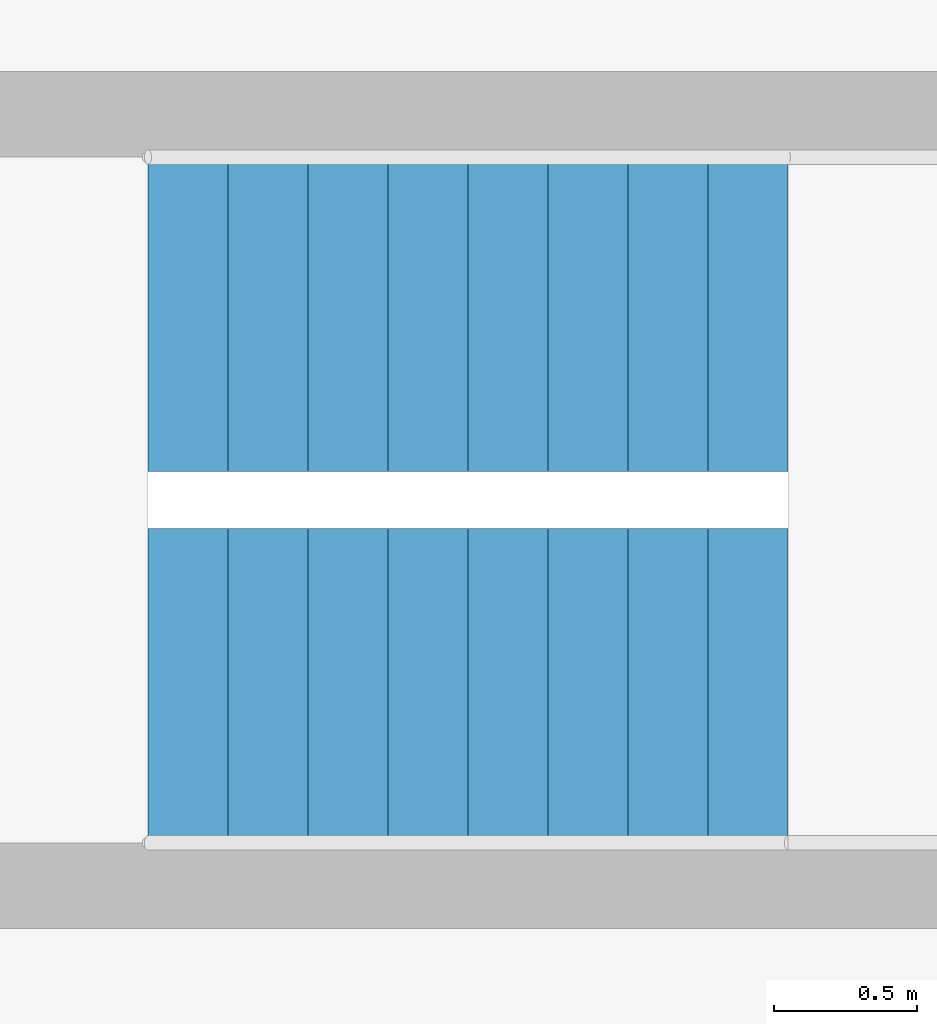
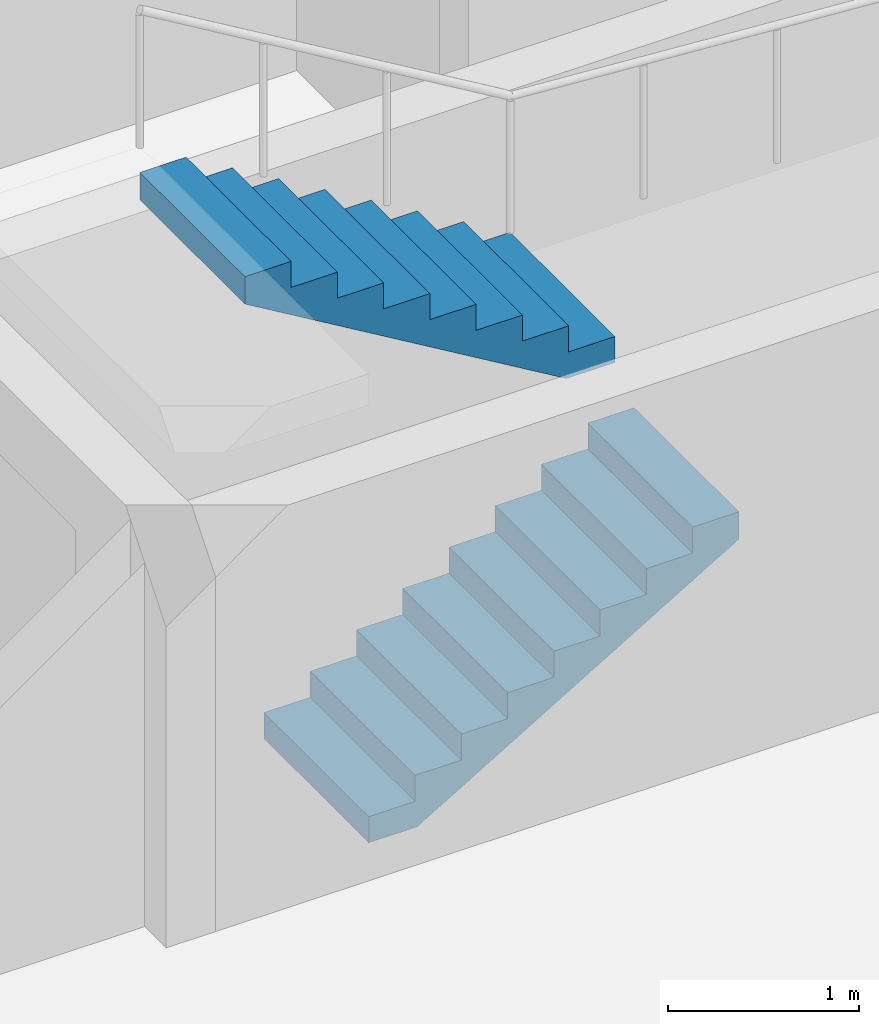
# One storey, part 12 of 14: 2 stair flights, 1 element without a shape of its own.
"""IFC4 building model written with IfcOpenShell, lengths in metres."""

from ifc_helpers import new_model, si_unit, direction, frame, origin, place, context, subcontext, project, spatial, polyline, outline, extrude, material, type_object, element, aggregate, save


model = new_model("IFC4")

# Units and contexts
model_context = context("Model", 3, precision=1e-05, world=origin(), true_north=direction((0.0, 1.0)))
body_context = subcontext(model_context, "Body", "Model", "MODEL_VIEW")
ifc_project = project(units=[si_unit("LENGTHUNIT", "METRE"), si_unit("AREAUNIT", "SQUARE_METRE"), si_unit("VOLUMEUNIT", "CUBIC_METRE"), si_unit("PLANEANGLEUNIT", "RADIAN"), si_unit("MASSUNIT", "GRAM", prefix="KILO")], contexts=[model_context])

# Site, building, storey
site_placement = place(None, origin())
site = spatial("IfcSite", under=ifc_project, at=site_placement, CompositionType="ELEMENT")
building_placement = place(site_placement, origin())
building = spatial("IfcBuilding", under=site, at=building_placement, Name="Fustian Cross Tower", CompositionType="ELEMENT")
storey_placement = place(building_placement, frame((0.0, 0.0, 99.89990234375)))
storey = spatial("IfcBuildingStorey", under=building, at=storey_placement, Name="L31", CompositionType="ELEMENT", Elevation=99.89990234375)

# Stair, stair flights
ifc_material_1 = material(Name="Concrete C50/60", Category="concrete")
stair_type = type_object("IfcStairType", Name="STAIR 1100 HALF TURN", PredefinedType="HALF_TURN_STAIR", material=ifc_material_1)
stair_placement = place(storey_placement, origin())
stair = element("IfcStair", 1, at=stair_placement, inside=storey, type_object=stair_type, Name="Stair ST8", PredefinedType="HALF_TURN_STAIR")
ifc_material_2 = material(Name="Concrete C50/60", Category="concrete")
stair_flight_type = type_object("IfcStairFlightType", Name="STAIR FLIGHT 1100", PredefinedType="STRAIGHT", material=ifc_material_2)
stair_flight_1_placement = place(storey_placement, frame((37.89990234375, -0.64990234375, 0.0), z_axis=(0.0, 0.0, 1.0), x_axis=(1.0, 0.0, 0.0)))
stair_flight_1 = element("IfcStairFlight", 2, at=stair_flight_1_placement, type_object=stair_flight_type, Name="ST8 flight 1", NumberOfRisers=9, NumberOfTreads=8, PredefinedType="STRAIGHT", RiserHeight=0.166666667, TreadLength=0.28, context=body_context, shape_type="SweptSolid", body=[
    extrude(outline(polyline([(0.0, 0.0), (0.0, 0.166748046875), (0.280029296875, 0.166748046875), (0.280029296875, 0.333251953125), (0.56005859375, 0.333251953125), (0.56005859375, 0.5), (0.840087890625, 0.5), (0.840087890625, 0.666748046875), (1.1201171875, 0.666748046875), (1.1201171875, 0.833251953125), (1.39990234375, 0.833251953125), (1.39990234375, 1.0), (1.679931640625, 1.0), (1.679931640625, 1.166748046875), (1.9599609375, 1.166748046875), (1.9599609375, 1.333251953125), (2.239990234375, 1.333251953125), (2.239990234375, 1.5), (2.239990234375, 1.158935546875), (0.29296875, 0.0), (0.0, 0.0)])), frame((0.0, 0.550048828125, 0.0), z_axis=(0.0, -1.0, 0.0), x_axis=(1.0, 0.0, 0.0)), (0.0, 0.0, 1.0), 1.10009765625),
])
stair_flight_2_placement = place(storey_placement, frame((40.139892578125, 0.64990234375, 1.5), z_axis=(0.0, 0.0, 1.0), x_axis=(-1.0, 0.0, 0.0)))
stair_flight_2 = element("IfcStairFlight", 3, at=stair_flight_2_placement, type_object=stair_flight_type, Name="ST8 flight 2", NumberOfRisers=9, NumberOfTreads=8, PredefinedType="STRAIGHT", RiserHeight=0.166666667, TreadLength=0.28, context=body_context, shape_type="SweptSolid", body=[
    extrude(outline(polyline([(0.0, 0.0), (0.0, 0.166748046875), (0.280029296875, 0.166748046875), (0.280029296875, 0.333251953125), (0.56005859375, 0.333251953125), (0.56005859375, 0.5), (0.840087890625, 0.5), (0.840087890625, 0.666748046875), (1.1201171875, 0.666748046875), (1.1201171875, 0.833251953125), (1.39990234375, 0.833251953125), (1.39990234375, 1.0), (1.679931640625, 1.0), (1.679931640625, 1.166748046875), (1.9599609375, 1.166748046875), (1.9599609375, 1.333251953125), (2.239990234375, 1.333251953125), (2.239990234375, 1.5), (2.239990234375, 1.158935546875), (0.29296875, 0.0), (0.0, 0.0)])), frame((0.0, 0.550048828125, 0.0), z_axis=(0.0, -1.0, 0.0), x_axis=(1.0, 0.0, 0.0)), (0.0, 0.0, 1.0), 1.10009765625),
])
aggregate(stair, [stair_flight_1, stair_flight_2])

save(model, "model.ifc")
